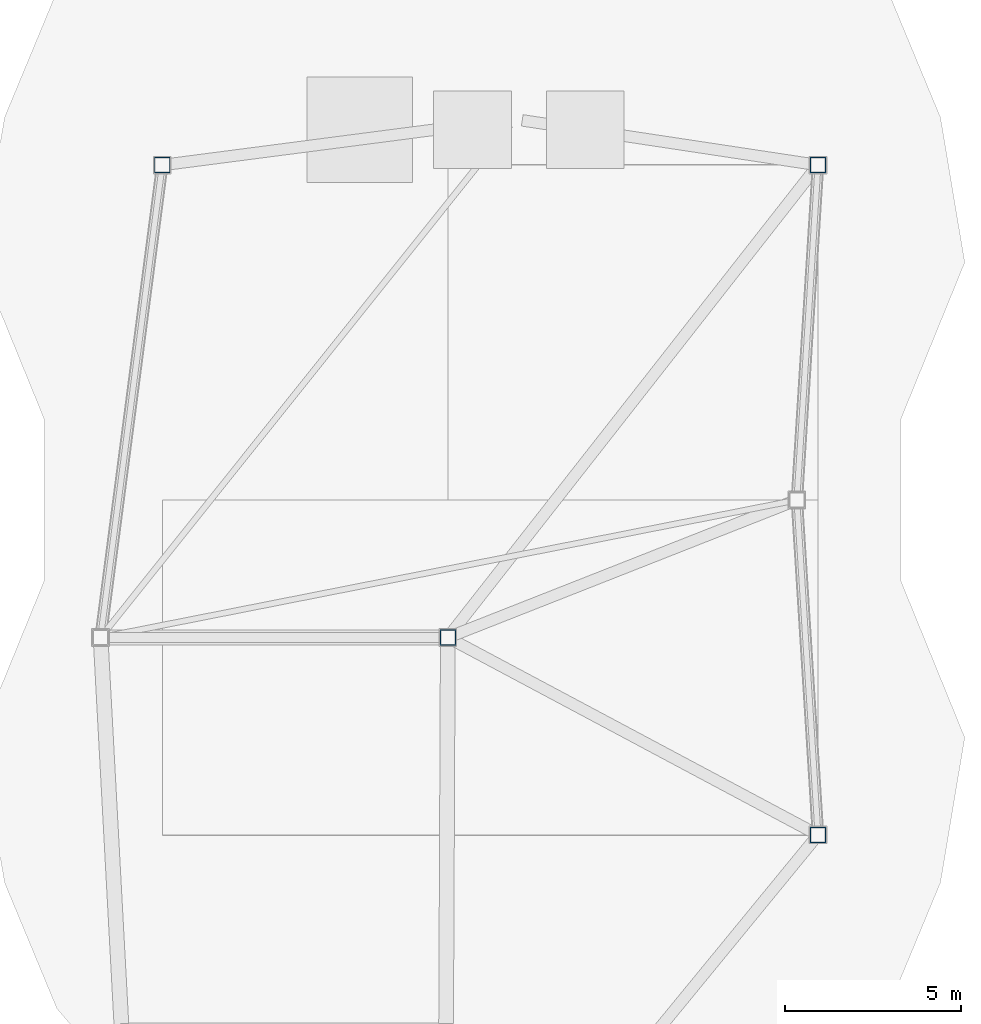
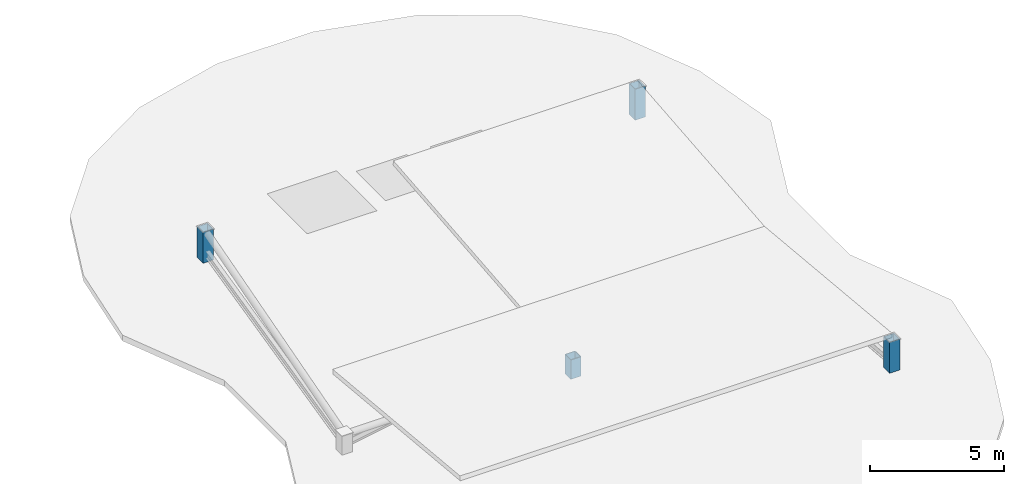
# One storey, part 2 of 6: 4 columns.
"""IFC4 building model written with IfcOpenShell, lengths in metres."""

from ifc_helpers import new_model, si_unit, direction, frame, origin, origin_2d, place, context, subcontext, project, spatial, hollow_rectangle, extrude, material, material_profile, profile_set, type_object, element, save


model = new_model("IFC4")

# Units and contexts
model_context = context("Model", 3, precision=1e-05, world=origin(), true_north=direction((0.0, 1.0)))
body_context = subcontext(model_context, "Body", "Model", "MODEL_VIEW")
ifc_project = project(units=[si_unit("LENGTHUNIT", "METRE"), si_unit("AREAUNIT", "SQUARE_METRE"), si_unit("VOLUMEUNIT", "CUBIC_METRE"), si_unit("PLANEANGLEUNIT", "RADIAN"), si_unit("MASSUNIT", "GRAM", prefix="KILO"), si_unit("THERMODYNAMICTEMPERATUREUNIT", "KELVIN"), si_unit("POWERUNIT", "WATT")], contexts=[model_context])

# Site, building, storey
site_placement = place(None, origin())
site = spatial("IfcSite", under=ifc_project, at=site_placement, CompositionType="ELEMENT")
building_placement = place(site_placement, origin())
building = spatial("IfcBuilding", under=site, at=building_placement, Name="Cundina Bronze Exchange", CompositionType="ELEMENT")
storey_placement = place(building_placement, frame((0.0, 0.0, 291.60009765625)))
storey = spatial("IfcBuildingStorey", under=building, at=storey_placement, Name="RF", CompositionType="ELEMENT", Elevation=291.60009765625)

# Columns
ifc_material = material(Name="Steel ASTM A501 Grade B", Category="steel")
ifc_material_profile = material_profile(ifc_material, hollow_rectangle(XDim=0.449951171875, YDim=0.449951171875, WallThickness=0.02490234375, at=origin_2d()), Name="HSS450X450X25", Category="steel")
ifc_profile_set = profile_set([ifc_material_profile], Name="Steel ASTM A501 Grade B")
column_type = type_object("IfcColumnType", Name="COL-STL-HSS45", PredefinedType="COLUMN", material=ifc_profile_set)
column_1_placement = place(storey_placement, frame((41.800048828125, -9.5, 0.0), z_axis=(0.0, 0.0, 1.0), x_axis=(1.0, 0.0, 0.0)))
element("IfcColumn", 1, at=column_1_placement, inside=storey, type_object=column_type, Name="RF Leg E V-Notch Roof Pier RN0", PredefinedType="COLUMN", context=body_context, shape_type="SweptSolid", body=[
    extrude(hollow_rectangle(XDim=0.449951171875, YDim=0.449951171875, WallThickness=0.02490234375, at=origin_2d()), origin(), (0.0, 0.0, 1.0), 1.412353515625),
])
column_2_placement = place(storey_placement, frame((31.300048828125, -3.89990234375, 0.0), z_axis=(0.0, 0.0, 1.0), x_axis=(1.0, 0.0, 0.0)))
element("IfcColumn", 2, at=column_2_placement, inside=storey, type_object=column_type, Name="RF Leg E V-Notch Roof Pier RN1", PredefinedType="COLUMN", context=body_context, shape_type="SweptSolid", body=[
    extrude(hollow_rectangle(XDim=0.449951171875, YDim=0.449951171875, WallThickness=0.02490234375, at=origin_2d()), origin(), (0.0, 0.0, 1.0), 0.88037109375),
])
for number, where, z_axis, x_axis, name in (
    (3, (41.800048828125, 9.5, 0.0), (0.0, 0.0, 1.0), (1.0, 0.0, 0.0), "RF Leg E V-Notch Roof Pier RS0"),
    (4, (23.199951171875, 9.5, 0.0), (0.0, 0.0, 1.0), (1.0, 0.0, 0.0), "RF Leg E V-Notch Roof Pier RS1"),
):
    element("IfcColumn", number, at=place(storey_placement, frame(where, z_axis=z_axis, x_axis=x_axis)), inside=storey, type_object=column_type, Name=name, PredefinedType="COLUMN", context=body_context, shape_type="SweptSolid", body=[
        extrude(hollow_rectangle(XDim=0.449951171875, YDim=0.449951171875, WallThickness=0.02490234375, at=origin_2d()), origin(), (0.0, 0.0, 1.0), 1.412353515625),
    ])

save(model, "model.ifc")
